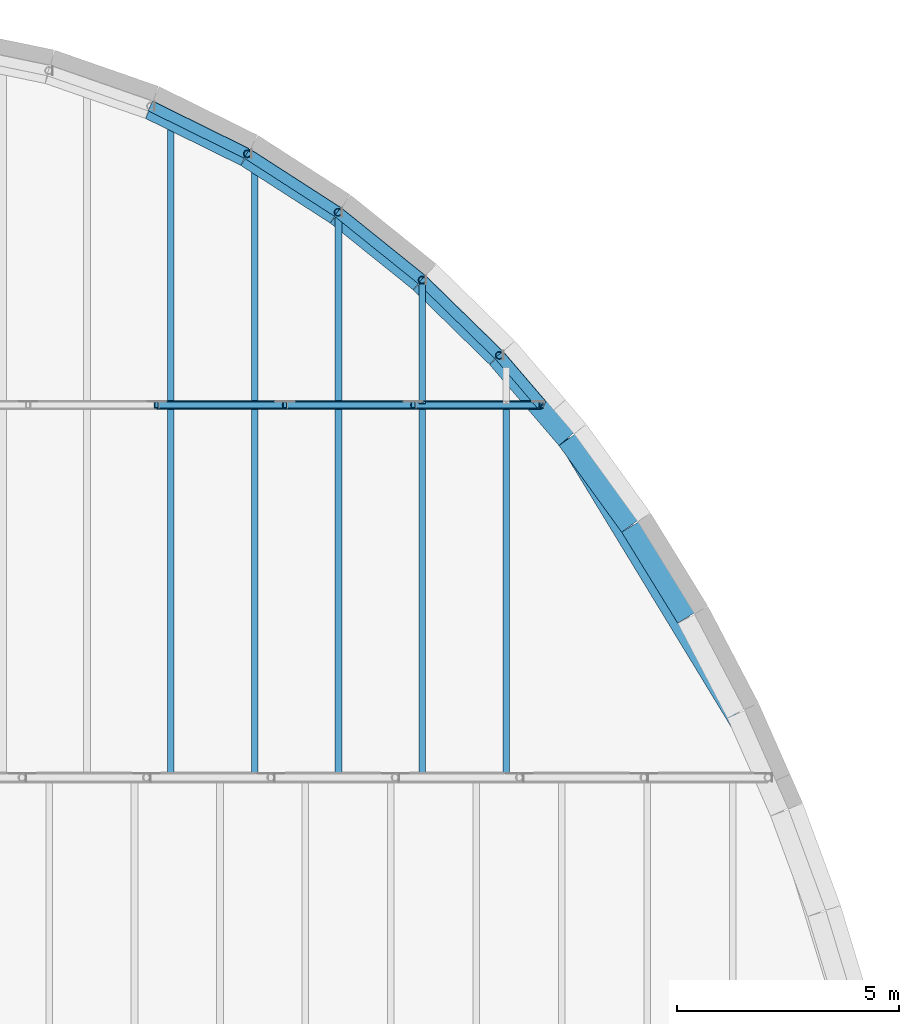
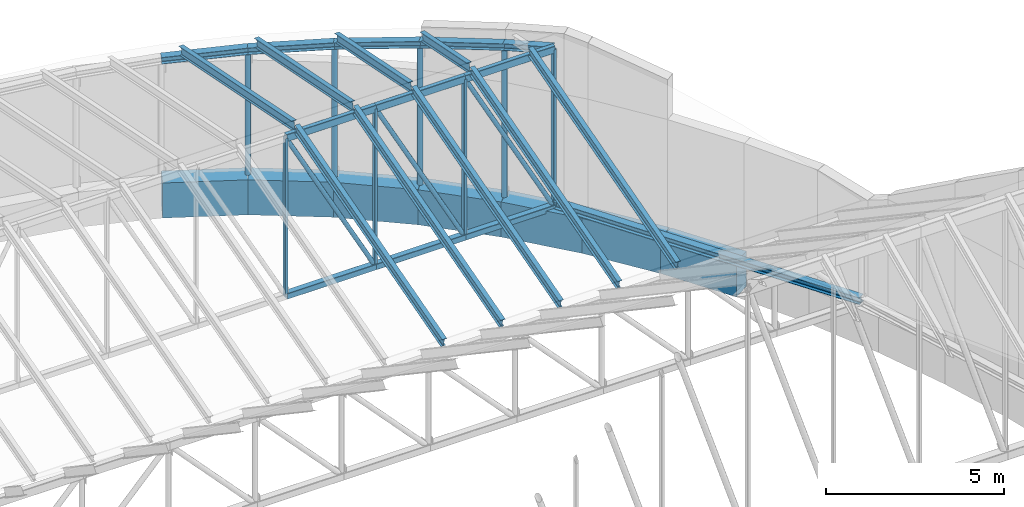
# One storey, part 34 of 68: 20 members, 19 beams.
"""IFC4 building model written with IfcOpenShell, lengths in metres."""

from ifc_helpers import new_model, si_unit, direction, frame, origin, origin_2d, place, context, subcontext, project, spatial, rectangle, hollow_rectangle, hollow_circle, i_section, extrude, material, material_profile, profile_set, type_object, element, save


model = new_model("IFC4")

# Units and contexts
model_context = context("Model", 3, precision=1e-05, world=origin(), true_north=direction((0.0, 1.0)))
body_context = subcontext(model_context, "Body", "Model", "MODEL_VIEW")
ifc_project = project(units=[si_unit("LENGTHUNIT", "METRE"), si_unit("AREAUNIT", "SQUARE_METRE"), si_unit("VOLUMEUNIT", "CUBIC_METRE"), si_unit("PLANEANGLEUNIT", "RADIAN"), si_unit("MASSUNIT", "GRAM", prefix="KILO")], contexts=[model_context])

# Site, building, storey
site_placement = place(None, origin())
site = spatial("IfcSite", under=ifc_project, at=site_placement, CompositionType="ELEMENT")
building_placement = place(site_placement, origin())
building = spatial("IfcBuilding", under=site, at=building_placement, Name="Larchfold Concert Hall", CompositionType="ELEMENT")
storey_placement = place(building_placement, frame((0.0, 0.0, 28.800048828125)))
storey = spatial("IfcBuildingStorey", under=building, at=storey_placement, Name="L06", CompositionType="ELEMENT", Elevation=28.800048828125)

# Beams
ifc_material_1 = material(Name="Concrete C40/50", Category="concrete")
ifc_material_profile_1 = material_profile(ifc_material_1, rectangle(XDim=0.60009765625, YDim=1.199951171875, at=origin_2d()))
ifc_profile_set_1 = profile_set([ifc_material_profile_1], Name="Concrete C40/50")
beam_type_1 = type_object("IfcBeamType", Name="Beam RC 600x1200", PredefinedType="BEAM", material=ifc_profile_set_1)
beam_1_placement = place(storey_placement, frame((61.847900390625, 105.63525390625, -0.60009765625), z_axis=(-0.52408048107, 0.851668743915, 0.0), x_axis=(-0.851668743915, -0.52408048107, 0.0)))
element("IfcBeam", 1, at=beam_1_placement, inside=storey, type_object=beam_type_1, Name="Beam RB10", PredefinedType="BEAM", context=body_context, shape_type="SweptSolid", body=[
    extrude(rectangle(XDim=0.60009765625, YDim=1.199951171875, at=origin_2d()), origin(), (0.0, 0.0, 1.0), 2.41162109375),
])
beam_2_placement = place(storey_placement, frame((60.571533203125, 107.707763671875, -0.60009765625), z_axis=(-0.586677063996, 0.809820981811, 0.0), x_axis=(-0.809820981811, -0.586677063996, 0.0)))
element("IfcBeam", 2, at=beam_2_placement, inside=storey, type_object=beam_type_1, Name="Beam RB11", PredefinedType="BEAM", context=body_context, shape_type="SweptSolid", body=[
    extrude(rectangle(XDim=0.60009765625, YDim=1.199951171875, at=origin_2d()), origin(), (0.0, 0.0, 1.0), 2.410400390625),
])
beam_3_placement = place(storey_placement, frame((59.142333984375, 109.678955078125, -0.60009765625), z_axis=(-0.650507440678, 0.759499881253, 0.0), x_axis=(-0.759499881253, -0.650507440678, 0.0)))
element("IfcBeam", 3, at=beam_3_placement, inside=storey, type_object=beam_type_1, Name="Beam RB12", PredefinedType="BEAM", context=body_context, shape_type="SweptSolid", body=[
    extrude(rectangle(XDim=0.60009765625, YDim=1.199951171875, at=origin_2d()), origin(), (0.0, 0.0, 1.0), 2.407958984375),
])
beam_4_placement = place(storey_placement, frame((57.557861328125, 111.527099609375, -0.60009765625), z_axis=(-0.714978484615, 0.699146455715, 0.0), x_axis=(-0.699146455715, -0.714978484615, 0.0)))
element("IfcBeam", 4, at=beam_4_placement, inside=storey, type_object=beam_type_1, Name="Beam RB13", PredefinedType="BEAM", context=body_context, shape_type="SweptSolid", body=[
    extrude(rectangle(XDim=0.60009765625, YDim=1.199951171875, at=origin_2d()), origin(), (0.0, 0.0, 1.0), 2.405517578125),
])
beam_5_placement = place(storey_placement, frame((55.81640625, 113.22802734375, -0.60009765625), z_axis=(-0.779051625906, 0.626959778752, 0.0), x_axis=(-0.626959778752, -0.779051625906, 0.0)))
element("IfcBeam", 5, at=beam_5_placement, inside=storey, type_object=beam_type_1, Name="Beam RB14", PredefinedType="BEAM", context=body_context, shape_type="SweptSolid", body=[
    extrude(rectangle(XDim=0.60009765625, YDim=1.199951171875, at=origin_2d()), origin(), (0.0, 0.0, 1.0), 2.403076171875),
])
beam_6_placement = place(storey_placement, frame((53.9189453125, 114.753173828125, -0.60009765625), z_axis=(-0.840526773036, 0.541770010068, 0.0), x_axis=(-0.541770010068, -0.840526773036, 0.0)))
element("IfcBeam", 6, at=beam_6_placement, inside=storey, type_object=beam_type_1, Name="Beam RB15", PredefinedType="BEAM", context=body_context, shape_type="SweptSolid", body=[
    extrude(rectangle(XDim=0.60009765625, YDim=1.199951171875, at=origin_2d()), origin(), (0.0, 0.0, 1.0), 2.400146484375),
])
beam_7_placement = place(storey_placement, frame((51.871826171875, 116.0703125, -0.60009765625), z_axis=(-0.896838212856, 0.44235870056, 0.0), x_axis=(-0.44235870056, -0.896838212856, 0.0)))
element("IfcBeam", 7, at=beam_7_placement, inside=storey, type_object=beam_type_1, Name="Beam RB16", PredefinedType="BEAM", context=body_context, shape_type="SweptSolid", body=[
    extrude(rectangle(XDim=0.60009765625, YDim=1.199951171875, at=origin_2d()), origin(), (0.0, 0.0, 1.0), 2.39697265625),
])

# Members
ifc_material_2 = material(Name="Steel S355", Category="steel")
ifc_material_profile_2 = material_profile(ifc_material_2, i_section(OverallWidth=0.14990234375, OverallDepth=0.300048828125, WebThickness=0.007080078125, FlangeThickness=0.0107421875, FilletRadius=0.014892578125, at=origin_2d()))
ifc_profile_set_2 = profile_set([ifc_material_profile_2], Name="Steel S355")
member_type_1 = type_object("IfcMemberType", Name="Rafter IPE 300", PredefinedType="RAFTER", material=ifc_profile_set_2)
for number, where, z_axis, x_axis, name in (
    (8, (50.16259765625, 102.080078125, 3.30224609375), (0.0, 0.962273331526, 0.272084610799), (-1.0, 0.0, 0.0), "Member RF0124"),
    (9, (52.05322265625, 102.080078125, 3.30224609375), (0.0, 0.962273331526, 0.272084610799), (-1.0, 0.0, 0.0), "Member RF0125"),
    (10, (53.943603515625, 102.080078125, 3.30224609375), (0.0, 0.962273331526, 0.272084610799), (-1.0, 0.0, 0.0), "Member RF0126"),
    (11, (55.834228515625, 102.080078125, 3.30224609375), (0.0, 0.962273331526, 0.272084610799), (-1.0, 0.0, 0.0), "Member RF0127"),
    (12, (57.724853515625, 102.080078125, 3.30224609375), (0.0, 0.962273331526, 0.272084610799), (-1.0, 0.0, 0.0), "Member RF0128"),
):
    element("IfcMember", number, at=place(storey_placement, frame(where, z_axis=z_axis, x_axis=x_axis)), inside=storey, type_object=member_type_1, Name=name, PredefinedType="RAFTER", context=body_context, shape_type="SweptSolid", body=[
        extrude(i_section(OverallWidth=0.14990234375, OverallDepth=0.300048828125, WebThickness=0.007080078125, FlangeThickness=0.0107421875, FilletRadius=0.014892578125, at=origin_2d()), origin(), (0.0, 0.0, 1.0), 8.5888671875),
    ])
member_1_placement = place(storey_placement, frame((50.16259765625, 110.454833984375, 5.657958984375), z_axis=(0.0, 0.980585033359, -0.196094345538), x_axis=(-1.0, 0.0, 0.0)))
element("IfcMember", 13, at=member_1_placement, inside=storey, type_object=member_type_1, Name="Member RF0141", PredefinedType="RAFTER", context=body_context, shape_type="SweptSolid", body=[
    extrude(i_section(OverallWidth=0.14990234375, OverallDepth=0.300048828125, WebThickness=0.007080078125, FlangeThickness=0.0107421875, FilletRadius=0.014892578125, at=origin_2d()), origin(), (0.0, 0.0, 1.0), 6.464111328125),
])
member_2_placement = place(storey_placement, frame((52.05322265625, 110.454833984375, 5.657958984375), z_axis=(0.0, 0.980580675691, -0.196116135138), x_axis=(-1.0, 0.0, 0.0)))
element("IfcMember", 14, at=member_2_placement, inside=storey, type_object=member_type_1, Name="Member RF0142", PredefinedType="RAFTER", context=body_context, shape_type="SweptSolid", body=[
    extrude(i_section(OverallWidth=0.14990234375, OverallDepth=0.300048828125, WebThickness=0.007080078125, FlangeThickness=0.0107421875, FilletRadius=0.014892578125, at=origin_2d()), origin(), (0.0, 0.0, 1.0), 5.4873046875),
])
member_3_placement = place(storey_placement, frame((53.943603515625, 110.454833984375, 5.657958984375), z_axis=(0.0, 0.980582888804, -0.196105069247), x_axis=(-1.0, 0.0, 0.0)))
element("IfcMember", 15, at=member_3_placement, inside=storey, type_object=member_type_1, Name="Member RF0143", PredefinedType="RAFTER", context=body_context, shape_type="SweptSolid", body=[
    extrude(i_section(OverallWidth=0.14990234375, OverallDepth=0.300048828125, WebThickness=0.007080078125, FlangeThickness=0.0107421875, FilletRadius=0.014892578125, at=origin_2d()), origin(), (0.0, 0.0, 1.0), 4.24267578125),
])
member_4_placement = place(storey_placement, frame((55.834228515625, 110.454833984375, 5.657958984375), z_axis=(0.0, 0.980577184744, -0.196133589063), x_axis=(-1.0, 0.0, 0.0)))
element("IfcMember", 16, at=member_4_placement, inside=storey, type_object=member_type_1, Name="Member RF0144", PredefinedType="RAFTER", context=body_context, shape_type="SweptSolid", body=[
    extrude(i_section(OverallWidth=0.14990234375, OverallDepth=0.300048828125, WebThickness=0.007080078125, FlangeThickness=0.0107421875, FilletRadius=0.014892578125, at=origin_2d()), origin(), (0.0, 0.0, 1.0), 2.68994140625),
])

# Beams
ifc_material_3 = material(Name="Steel S355", Category="steel")
ifc_material_profile_3 = material_profile(ifc_material_3, i_section(OverallWidth=0.239990234375, OverallDepth=0.22998046875, WebThickness=0.007568359375, FlangeThickness=0.011962890625, FilletRadius=0.02099609375, at=origin_2d()))
ifc_profile_set_3 = profile_set([ifc_material_profile_3], Name="Steel S355")
beam_type_2 = type_object("IfcBeamType", Name="Steel beam HEA 240", PredefinedType="BEAM", material=ifc_profile_set_3)
beam_8_placement = place(storey_placement, frame((63.6298828125, 102.0, 0.114990234375), z_axis=(-0.519352707467, 0.854559983411, 0.0), x_axis=(-0.854559983411, -0.519352707467, 0.0)))
element("IfcBeam", 17, at=beam_8_placement, inside=storey, type_object=beam_type_2, Name="Beam EM16", PredefinedType="BEAM", context=body_context, shape_type="SweptSolid", body=[
    extrude(i_section(OverallWidth=0.239990234375, OverallDepth=0.22998046875, WebThickness=0.007568359375, FlangeThickness=0.011962890625, FilletRadius=0.02099609375, at=origin_2d()), origin(), (0.0, 0.0, 1.0), 9.82958984375),
])
beam_9_placement = place(storey_placement, frame((58.52490234375, 110.39990234375, 5.398681640625), z_axis=(-0.643137678226, 0.750873898164, -0.150207576047), x_axis=(-0.759490713992, -0.65051814376, 0.0)))
element("IfcBeam", 18, at=beam_9_placement, inside=storey, type_object=beam_type_2, Name="Beam EM21", PredefinedType="BEAM", context=body_context, shape_type="SweptSolid", body=[
    extrude(i_section(OverallWidth=0.239990234375, OverallDepth=0.22998046875, WebThickness=0.007568359375, FlangeThickness=0.011962890625, FilletRadius=0.02099609375, at=origin_2d()), origin(), (0.0, 0.0, 1.0), 1.48876953125),
])
beam_10_placement = place(storey_placement, frame((57.5673828125, 111.517822265625, 5.175048828125), z_axis=(-0.708105931144, 0.692405575107, -0.138421493416), x_axis=(-0.69913586986, -0.71498883591, 0.0)))
element("IfcBeam", 19, at=beam_10_placement, inside=storey, type_object=beam_type_2, Name="Beam EM22", PredefinedType="BEAM", context=body_context, shape_type="SweptSolid", body=[
    extrude(i_section(OverallWidth=0.239990234375, OverallDepth=0.22998046875, WebThickness=0.007568359375, FlangeThickness=0.011962890625, FilletRadius=0.02099609375, at=origin_2d()), origin(), (0.0, 0.0, 1.0), 2.456787109375),
])
beam_11_placement = place(storey_placement, frame((55.82763671875, 113.218994140625, 4.8349609375), z_axis=(-0.772959496258, 0.622130846486, -0.12444608067), x_axis=(-0.627004949811, -0.779015271296, 0.0)))
element("IfcBeam", 20, at=beam_11_placement, inside=storey, type_object=beam_type_2, Name="Beam EM23", PredefinedType="BEAM", context=body_context, shape_type="SweptSolid", body=[
    extrude(i_section(OverallWidth=0.239990234375, OverallDepth=0.22998046875, WebThickness=0.007568359375, FlangeThickness=0.011962890625, FilletRadius=0.02099609375, at=origin_2d()), origin(), (0.0, 0.0, 1.0), 2.452392578125),
])
beam_12_placement = place(storey_placement, frame((53.93212890625, 114.74462890625, 4.52978515625), z_axis=(-0.835626171387, 0.538627710043, -0.107745494878), x_axis=(-0.541781687101, -0.840519246372, 0.0)))
element("IfcBeam", 21, at=beam_12_placement, inside=storey, type_object=beam_type_2, Name="Beam EM24", PredefinedType="BEAM", context=body_context, shape_type="SweptSolid", body=[
    extrude(i_section(OverallWidth=0.239990234375, OverallDepth=0.22998046875, WebThickness=0.007568359375, FlangeThickness=0.011962890625, FilletRadius=0.02099609375, at=origin_2d()), origin(), (0.0, 0.0, 1.0), 2.447265625),
])
beam_13_placement = place(storey_placement, frame((51.88720703125, 116.062744140625, 4.26611328125), z_axis=(-0.893337750063, 0.440670635886, -0.088074144786), x_axis=(-0.442389797274, -0.896822873966, 0.0)))
element("IfcBeam", 22, at=beam_13_placement, inside=storey, type_object=beam_type_2, Name="Beam EM25", PredefinedType="BEAM", context=body_context, shape_type="SweptSolid", body=[
    extrude(i_section(OverallWidth=0.239990234375, OverallDepth=0.22998046875, WebThickness=0.007568359375, FlangeThickness=0.011962890625, FilletRadius=0.02099609375, at=origin_2d()), origin(), (0.0, 0.0, 1.0), 2.442138671875),
])
ifc_material_4 = material(Name="Steel S355J2H", Category="steel")
ifc_material_profile_4 = material_profile(ifc_material_4, hollow_rectangle(XDim=0.14990234375, YDim=0.25, WallThickness=0.010009765625, InnerFilletRadius=0.010009765625, OuterFilletRadius=0.02001953125, at=origin_2d()))
ifc_profile_set_4 = profile_set([ifc_material_profile_4], Name="Steel S355J2H")
beam_type_3 = type_object("IfcBeamType", Name="Truss chord RHS 250x150x10", PredefinedType="BEAM", material=ifc_profile_set_4)
beam_14_placement = place(storey_placement, frame((49.838623046875, 110.39990234375, 5.39990234375), z_axis=(1.0, 0.0, 0.0), x_axis=(0.0, 1.0, 0.0)))
element("IfcBeam", 23, at=beam_14_placement, inside=storey, type_object=beam_type_3, Name="Beam FT7T09", PredefinedType="BEAM", context=body_context, shape_type="SweptSolid", body=[
    extrude(hollow_rectangle(XDim=0.14990234375, YDim=0.25, WallThickness=0.010009765625, InnerFilletRadius=0.010009765625, OuterFilletRadius=0.02001953125, at=origin_2d()), origin(), (0.0, 0.0, 1.0), 2.8955078125),
])
beam_15_placement = place(storey_placement, frame((52.734130859375, 110.39990234375, 5.39990234375), z_axis=(1.0, 0.0, 0.0), x_axis=(0.0, 1.0, 0.0)))
element("IfcBeam", 24, at=beam_15_placement, inside=storey, type_object=beam_type_3, Name="Beam FT7T10", PredefinedType="BEAM", context=body_context, shape_type="SweptSolid", body=[
    extrude(hollow_rectangle(XDim=0.14990234375, YDim=0.25, WallThickness=0.010009765625, InnerFilletRadius=0.010009765625, OuterFilletRadius=0.02001953125, at=origin_2d()), origin(), (0.0, 0.0, 1.0), 2.895263671875),
])
beam_16_placement = place(storey_placement, frame((55.62939453125, 110.39990234375, 5.39990234375), z_axis=(1.0, 0.0, 0.0), x_axis=(0.0, 1.0, 0.0)))
element("IfcBeam", 25, at=beam_16_placement, inside=storey, type_object=beam_type_3, Name="Beam FT7T11", PredefinedType="BEAM", context=body_context, shape_type="SweptSolid", body=[
    extrude(hollow_rectangle(XDim=0.14990234375, YDim=0.25, WallThickness=0.010009765625, InnerFilletRadius=0.010009765625, OuterFilletRadius=0.02001953125, at=origin_2d()), origin(), (0.0, 0.0, 1.0), 2.8955078125),
])

# Members
ifc_material_5 = material(Name="Steel S355J2H", Category="steel")
ifc_material_profile_5 = material_profile(ifc_material_5, hollow_circle(Radius=0.084228515625, WallThickness=0.008056640625, at=origin_2d()))
ifc_profile_set_5 = profile_set([ifc_material_profile_5], Name="Steel S355J2H")
member_type_2 = type_object("IfcMemberType", Name="Truss post CHS 168.3x8", PredefinedType="POST", material=ifc_profile_set_5)
member_5_placement = place(storey_placement, frame((57.5673828125, 111.517822265625, 0.0), z_axis=(0.0, 0.0, 1.0), x_axis=(1.0, 0.0, 0.0)))
element("IfcMember", 26, at=member_5_placement, inside=storey, type_object=member_type_2, Name="Member EP01", PredefinedType="POST", context=body_context, shape_type="SweptSolid", body=[
    extrude(hollow_circle(Radius=0.084228515625, WallThickness=0.008056640625, at=origin_2d()), origin(), (0.0, 0.0, 1.0), 5.057861328125),
])
member_6_placement = place(storey_placement, frame((55.82763671875, 113.218994140625, 0.0), z_axis=(0.0, 0.0, 1.0), x_axis=(1.0, 0.0, 0.0)))
element("IfcMember", 27, at=member_6_placement, inside=storey, type_object=member_type_2, Name="Member EP02", PredefinedType="POST", context=body_context, shape_type="SweptSolid", body=[
    extrude(hollow_circle(Radius=0.084228515625, WallThickness=0.008056640625, at=origin_2d()), origin(), (0.0, 0.0, 1.0), 4.717529296875),
])
member_7_placement = place(storey_placement, frame((53.93212890625, 114.74462890625, 0.0), z_axis=(0.0, 0.0, 1.0), x_axis=(1.0, 0.0, 0.0)))
element("IfcMember", 28, at=member_7_placement, inside=storey, type_object=member_type_2, Name="Member EP03", PredefinedType="POST", context=body_context, shape_type="SweptSolid", body=[
    extrude(hollow_circle(Radius=0.084228515625, WallThickness=0.008056640625, at=origin_2d()), origin(), (0.0, 0.0, 1.0), 4.41259765625),
])
member_8_placement = place(storey_placement, frame((51.88720703125, 116.062744140625, 0.0), z_axis=(0.0, 0.0, 1.0), x_axis=(1.0, 0.0, 0.0)))
element("IfcMember", 29, at=member_8_placement, inside=storey, type_object=member_type_2, Name="Member EP04", PredefinedType="POST", context=body_context, shape_type="SweptSolid", body=[
    extrude(hollow_circle(Radius=0.084228515625, WallThickness=0.008056640625, at=origin_2d()), origin(), (0.0, 0.0, 1.0), 4.14892578125),
])
ifc_material_6 = material(Name="Steel S355J2H", Category="steel")
ifc_material_profile_6 = material_profile(ifc_material_6, hollow_rectangle(XDim=0.10009765625, YDim=0.14990234375, WallThickness=0.008056640625, InnerFilletRadius=0.008056640625, OuterFilletRadius=0.01611328125, at=origin_2d()))
ifc_profile_set_6 = profile_set([ifc_material_profile_6], Name="Steel S355J2H")
member_type_3 = type_object("IfcMemberType", Name="Truss post RHS 150x100x8", PredefinedType="POST", material=ifc_profile_set_6)
for number, where, z_axis, x_axis, name in (
    (30, (49.838623046875, 110.39990234375, 5.39990234375), (0.0, 0.0, -1.0), (1.0, 0.0, 0.0), "Member FT7V09"),
    (31, (52.734130859375, 110.39990234375, 5.39990234375), (0.0, 0.0, -1.0), (1.0, 0.0, 0.0), "Member FT7V10"),
    (32, (55.62939453125, 110.39990234375, 5.39990234375), (0.0, 0.0, -1.0), (1.0, 0.0, 0.0), "Member FT7V11"),
    (33, (58.52490234375, 110.39990234375, 5.39990234375), (0.0, 0.0, -1.0), (1.0, 0.0, 0.0), "Member FT7V12"),
):
    element("IfcMember", number, at=place(storey_placement, frame(where, z_axis=z_axis, x_axis=x_axis)), inside=storey, type_object=member_type_3, Name=name, PredefinedType="POST", context=body_context, shape_type="SweptSolid", body=[
        extrude(hollow_rectangle(XDim=0.10009765625, YDim=0.14990234375, WallThickness=0.008056640625, InnerFilletRadius=0.008056640625, OuterFilletRadius=0.01611328125, at=origin_2d()), origin(), (0.0, 0.0, 1.0), 5.39990234375),
    ])

# Beams
ifc_material_7 = material(Name="Steel S355J2H", Category="steel")
ifc_material_profile_7 = material_profile(ifc_material_7, hollow_rectangle(XDim=0.199951171875, YDim=0.199951171875, WallThickness=0.010009765625, InnerFilletRadius=0.010009765625, OuterFilletRadius=0.02001953125, at=origin_2d()))
ifc_profile_set_7 = profile_set([ifc_material_profile_7], Name="Steel S355J2H")
beam_type_4 = type_object("IfcBeamType", Name="Truss tie SHS 200x200x10", PredefinedType="BEAM", material=ifc_profile_set_7)
beam_17_placement = place(storey_placement, frame((49.838623046875, 110.39990234375, 0.0), z_axis=(1.0, 0.0, 0.0), x_axis=(0.0, 1.0, 0.0)))
element("IfcBeam", 34, at=beam_17_placement, inside=storey, type_object=beam_type_4, Name="Beam FT7B09", PredefinedType="BEAM", context=body_context, shape_type="SweptSolid", body=[
    extrude(hollow_rectangle(XDim=0.199951171875, YDim=0.199951171875, WallThickness=0.010009765625, InnerFilletRadius=0.010009765625, OuterFilletRadius=0.02001953125, at=origin_2d()), origin(), (0.0, 0.0, 1.0), 2.8955078125),
])
beam_18_placement = place(storey_placement, frame((52.734130859375, 110.39990234375, 0.0), z_axis=(1.0, 0.0, 0.0), x_axis=(0.0, 1.0, 0.0)))
element("IfcBeam", 35, at=beam_18_placement, inside=storey, type_object=beam_type_4, Name="Beam FT7B10", PredefinedType="BEAM", context=body_context, shape_type="SweptSolid", body=[
    extrude(hollow_rectangle(XDim=0.199951171875, YDim=0.199951171875, WallThickness=0.010009765625, InnerFilletRadius=0.010009765625, OuterFilletRadius=0.02001953125, at=origin_2d()), origin(), (0.0, 0.0, 1.0), 2.895263671875),
])
beam_19_placement = place(storey_placement, frame((55.62939453125, 110.39990234375, 0.0), z_axis=(1.0, 0.0, 0.0), x_axis=(0.0, 1.0, 0.0)))
element("IfcBeam", 36, at=beam_19_placement, inside=storey, type_object=beam_type_4, Name="Beam FT7B11", PredefinedType="BEAM", context=body_context, shape_type="SweptSolid", body=[
    extrude(hollow_rectangle(XDim=0.199951171875, YDim=0.199951171875, WallThickness=0.010009765625, InnerFilletRadius=0.010009765625, OuterFilletRadius=0.02001953125, at=origin_2d()), origin(), (0.0, 0.0, 1.0), 2.8955078125),
])

# Members
ifc_material_8 = material(Name="Steel S355J2H", Category="steel")
ifc_material_profile_8 = material_profile(ifc_material_8, hollow_circle(Radius=0.06982421875, WallThickness=0.00634765625, at=origin_2d()))
ifc_profile_set_8 = profile_set([ifc_material_profile_8], Name="Steel S355J2H")
member_type_4 = type_object("IfcMemberType", Name="Truss web CHS 139.7x6.3", PredefinedType="BRACE", material=ifc_profile_set_8)
for number, where, z_axis, x_axis, name in (
    (37, (49.838623046875, 110.39990234375, 5.39990234375), (0.472564148262, 0.0, -0.881296275822), (0.0, 1.0, 0.0), "Member FT7D09"),
    (38, (52.734130859375, 110.39990234375, 5.39990234375), (0.472533200288, 0.0, -0.881312869885), (0.0, 1.0, 0.0), "Member FT7D10"),
    (39, (55.62939453125, 110.39990234375, 5.39990234375), (0.472564148262, 0.0, -0.881296275822), (0.0, 1.0, 0.0), "Member FT7D11"),
):
    element("IfcMember", number, at=place(storey_placement, frame(where, z_axis=z_axis, x_axis=x_axis)), inside=storey, type_object=member_type_4, Name=name, PredefinedType="BRACE", context=body_context, shape_type="SweptSolid", body=[
        extrude(hollow_circle(Radius=0.06982421875, WallThickness=0.00634765625, at=origin_2d()), origin(), (0.0, 0.0, 1.0), 6.127197265625),
    ])

save(model, "model.ifc")
